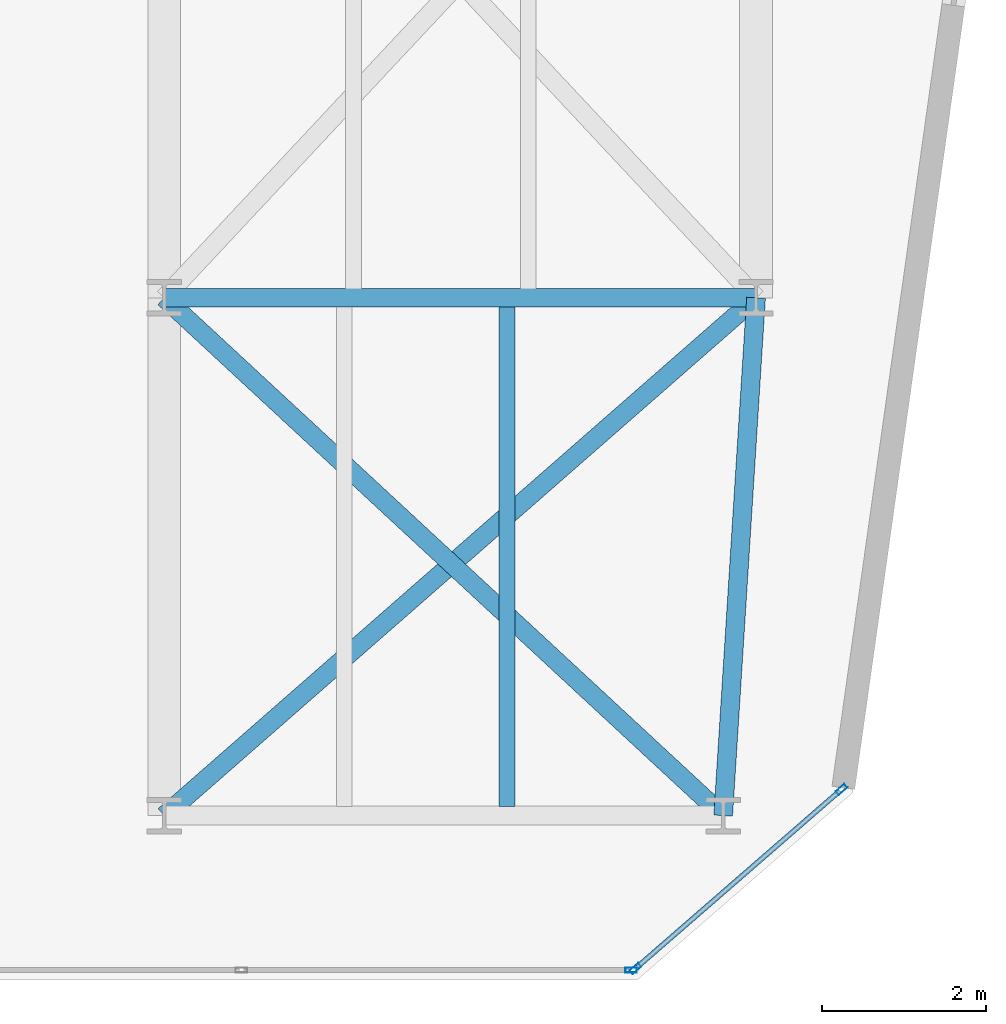
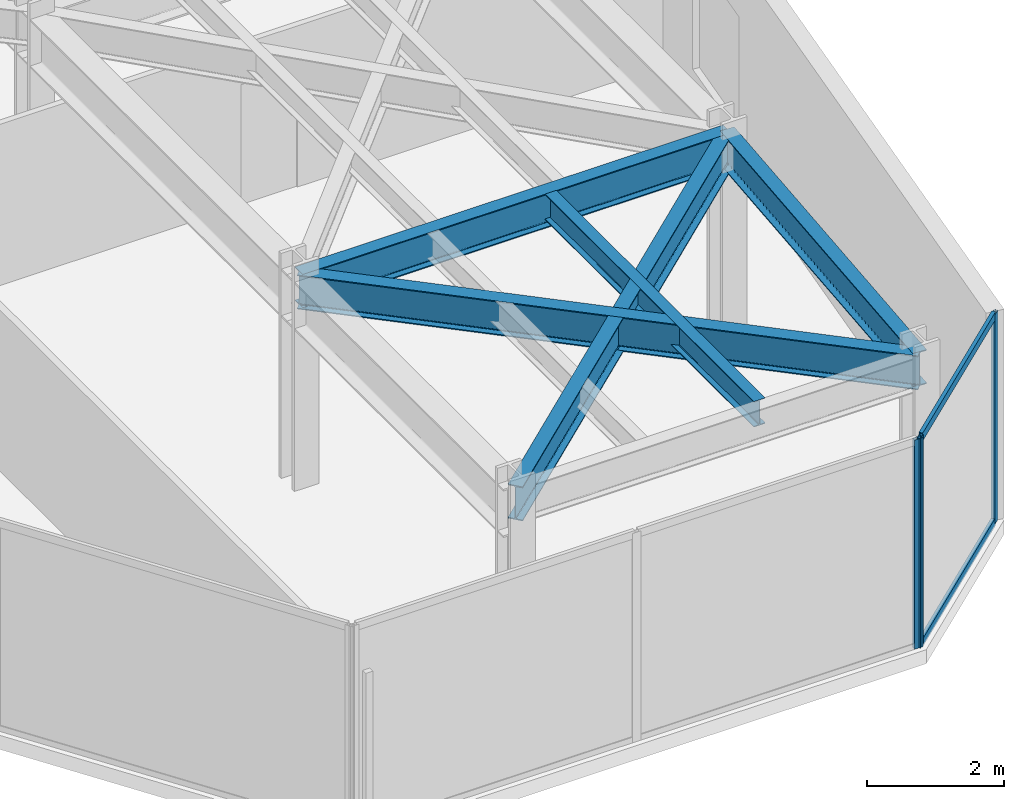
# One storey, part 19 of 26: 5 beams, 5 members, 2 elements without a shape of their own.
"""IFC4 building model written with IfcOpenShell, lengths in metres."""

from ifc_helpers import new_model, si_unit, direction, frame, origin, origin_2d, place, context, subcontext, project, spatial, hollow_rectangle, i_section, extrude, material, layer, layer_set, material_profile, profile_set, type_object, element, aggregate, save


model = new_model("IFC4")

# Units and contexts
model_context = context("Model", 3, precision=1e-05, world=origin(), true_north=direction((0.0, 1.0)))
body_context = subcontext(model_context, "Body", "Model", "MODEL_VIEW")
ifc_project = project(units=[si_unit("LENGTHUNIT", "METRE"), si_unit("AREAUNIT", "SQUARE_METRE"), si_unit("VOLUMEUNIT", "CUBIC_METRE"), si_unit("PLANEANGLEUNIT", "RADIAN"), si_unit("MASSUNIT", "GRAM", prefix="KILO")], contexts=[model_context])

# Site, building, storey
site_placement = place(None, origin())
site = spatial("IfcSite", under=ifc_project, at=site_placement, CompositionType="ELEMENT")
building_placement = place(site_placement, origin())
building = spatial("IfcBuilding", under=site, at=building_placement, Name="Kravanh Interchange Tower", CompositionType="ELEMENT")
storey_placement = place(building_placement, frame((0.0, 0.0, 152.0)))
storey = spatial("IfcBuildingStorey", under=building, at=storey_placement, Name="L36", CompositionType="ELEMENT", Elevation=152.0)

# Curtain wall, members
ifc_material_1 = material(Name="Anodised Bronze Aluminium", Category="aluminium")
ifc_layer = layer(ifc_material_1, 0.179931640625)
ifc_layer_set = layer_set([ifc_layer], Name="Unitised Curtain Wall System CW-Z2 Mid Office")
curtain_wall_type = type_object("IfcCurtainWallType", Name="Unitised Curtain Wall System CW-Z2 Mid Office", PredefinedType="NOTDEFINED", material=ifc_layer_set)
curtain_wall_1_placement = place(storey_placement, origin())
curtain_wall_1 = element("IfcCurtainWall", 1, at=curtain_wall_1_placement, inside=storey, type_object=curtain_wall_type, Name="L36 Unitised Curtain Wall CW-L36-02", PredefinedType="NOTDEFINED")
ifc_material_2 = material(Name="Anodised Bronze Aluminium", Category="aluminium")
ifc_material_profile_1 = material_profile(ifc_material_2, hollow_rectangle(XDim=0.06005859375, YDim=0.139892578125, WallThickness=0.00390625, at=origin_2d()), Name="ALU60X140X4")
ifc_profile_set_1 = profile_set([ifc_material_profile_1], Name="Anodised Bronze Aluminium")
member_type_1 = type_object("IfcMemberType", Name="Curtain Wall Mullion ALU60X140X4 Bronze", PredefinedType="MULLION", material=ifc_profile_set_1)
member_1_placement = place(storey_placement, frame((64.239990234375, 8.51904296875, 0.0), z_axis=(0.0, 0.0, 1.0), x_axis=(0.656047665617, -0.754719458103, 0.0)))
member_1 = element("IfcMember", 2, at=member_1_placement, type_object=member_type_1, Name="CW-Z2 mullion 1", PredefinedType="MULLION", context=body_context, shape_type="SweptSolid", body=[
    extrude(hollow_rectangle(XDim=0.06005859375, YDim=0.139892578125, WallThickness=0.00390625, at=origin_2d()), origin(), (0.0, 0.0, 1.0), 3.719970703125),
])
member_2_placement = place(storey_placement, frame((61.73291015625, 6.339599609375, 0.0), z_axis=(0.0, 0.0, 1.0), x_axis=(0.656047665617, -0.754719458103, 0.0)))
member_2 = element("IfcMember", 3, at=member_2_placement, type_object=member_type_1, Name="CW-Z2 mullion 2", PredefinedType="MULLION", context=body_context, shape_type="SweptSolid", body=[
    extrude(hollow_rectangle(XDim=0.06005859375, YDim=0.139892578125, WallThickness=0.00390625, at=origin_2d()), origin(), (0.0, 0.0, 1.0), 3.719970703125),
])

# Curtain wall, member
curtain_wall_2_placement = place(storey_placement, origin())
curtain_wall_2 = element("IfcCurtainWall", 4, at=curtain_wall_2_placement, inside=storey, type_object=curtain_wall_type, Name="L36 Unitised Curtain Wall CW-L36-03", PredefinedType="NOTDEFINED")
member_3_placement = place(storey_placement, frame((61.68017578125, 6.320068359375, 0.0), z_axis=(0.0, 0.0, 1.0), x_axis=(0.0, -1.0, 0.0)))
member_3 = element("IfcMember", 5, at=member_3_placement, type_object=member_type_1, Name="CW-Z2 mullion 1", PredefinedType="MULLION", context=body_context, shape_type="SweptSolid", body=[
    extrude(hollow_rectangle(XDim=0.06005859375, YDim=0.139892578125, WallThickness=0.00390625, at=origin_2d()), origin(), (0.0, 0.0, 1.0), 3.719970703125),
])
aggregate(curtain_wall_2, [member_3])

# Member
ifc_material_3 = material(Name="Anodised Bronze Aluminium", Category="aluminium")
ifc_material_profile_2 = material_profile(ifc_material_3, hollow_rectangle(XDim=0.06005859375, YDim=0.139892578125, WallThickness=0.00390625, at=origin_2d()), Name="ALU60X140X4")
ifc_profile_set_2 = profile_set([ifc_material_profile_2], Name="Anodised Bronze Aluminium")
member_type_2 = type_object("IfcMemberType", Name="Curtain Wall Transom ALU60X140X4 Bronze", PredefinedType="USERDEFINED", material=ifc_profile_set_2)
member_4_placement = place(storey_placement, frame((64.21728515625, 8.499267578125, 0.030029296875), z_axis=(-0.754742467432, -0.656021194669, 0.0), x_axis=(0.656021194669, -0.754742467432, 0.0)))
member_4 = element("IfcMember", 6, at=member_4_placement, type_object=member_type_2, Name="CW-Z2 transom 1.1", ObjectType="TRANSOM", PredefinedType="USERDEFINED", context=body_context, shape_type="SweptSolid", body=[
    extrude(hollow_rectangle(XDim=0.06005859375, YDim=0.139892578125, WallThickness=0.00390625, at=origin_2d()), origin(), (0.0, 0.0, 1.0), 3.261962890625),
])

member_5_placement = place(storey_placement, frame((64.21728515625, 8.499267578125, 3.68994140625), z_axis=(-0.754742467432, -0.656021194669, 0.0), x_axis=(0.656021194669, -0.754742467432, 0.0)))
member_5 = element("IfcMember", 7, at=member_5_placement, type_object=member_type_2, Name="CW-Z2 transom 1.2", ObjectType="TRANSOM", PredefinedType="USERDEFINED", context=body_context, shape_type="SweptSolid", body=[
    extrude(hollow_rectangle(XDim=0.06005859375, YDim=0.139892578125, WallThickness=0.00390625, at=origin_2d()), origin(), (0.0, 0.0, 1.0), 3.261962890625),
])

aggregate(curtain_wall_1, [member_1, member_2, member_4, member_5])

# Beams
ifc_material_4 = material(Name="Structural Steel S355", Category="steel")
ifc_material_profile_3 = material_profile(ifc_material_4, i_section(OverallWidth=0.18994140625, OverallDepth=0.45703125, WebThickness=0.009033203125, FlangeThickness=0.014404296875, FilletRadius=0.01806640625, at=origin_2d()), Name="W18X50")
ifc_profile_set_3 = profile_set([ifc_material_profile_3], Name="Structural Steel S355")
beam_type_1 = type_object("IfcBeamType", Name="Floor Joist W18X50 Structural Steel S355", PredefinedType="JOIST", material=ifc_profile_set_3)
beam_1_placement = place(storey_placement, frame((60.169921875, 8.30908203125, 3.491455078125), z_axis=(0.0, 1.0, 0.0), x_axis=(-1.0, 0.0, 0.0)))
element("IfcBeam", 8, at=beam_1_placement, inside=storey, type_object=beam_type_1, Name="L36 Secondary Floor Joist 4", PredefinedType="JOIST", context=body_context, shape_type="SweptSolid", body=[
    extrude(i_section(OverallWidth=0.18994140625, OverallDepth=0.45703125, WebThickness=0.009033203125, FlangeThickness=0.014404296875, FilletRadius=0.01806640625, at=origin_2d()), origin(), (0.0, 0.0, 1.0), 6.08203125),
])
ifc_material_5 = material(Name="Structural Steel S355", Category="steel")
ifc_material_profile_4 = material_profile(ifc_material_5, i_section(OverallWidth=0.22802734375, OverallDepth=0.60791015625, WebThickness=0.01123046875, FlangeThickness=0.017333984375, FilletRadius=0.02197265625, at=origin_2d()), Name="W24X76")
ifc_profile_set_4 = profile_set([ifc_material_profile_4], Name="Structural Steel S355")
beam_type_2 = type_object("IfcBeamType", Name="Floor Spandrel W24X76 Structural Steel S355", PredefinedType="SPANDREL", material=ifc_profile_set_4)
beam_2_placement = place(storey_placement, frame((56.0, 8.199951171875, 3.416015625), z_axis=(0.752571952274, 0.658510027752, 0.0), x_axis=(-0.658510027752, 0.752571952274, 0.0)))
element("IfcBeam", 9, at=beam_2_placement, inside=storey, type_object=beam_type_2, Name="L36 Perimeter Spandrel 97", PredefinedType="SPANDREL", context=body_context, shape_type="SweptSolid", body=[
    extrude(i_section(OverallWidth=0.22802734375, OverallDepth=0.60791015625, WebThickness=0.01123046875, FlangeThickness=0.017333984375, FilletRadius=0.02197265625, at=origin_2d()), origin(), (0.0, 0.0, 1.0), 9.567138671875),
])
beam_3_placement = place(storey_placement, frame((62.800048828125, 8.199951171875, 3.416015625), z_axis=(0.063348576418, 0.99799146182, 0.0), x_axis=(-0.99799146182, 0.063348576418, 0.0)))
element("IfcBeam", 10, at=beam_3_placement, inside=storey, type_object=beam_type_2, Name="L36 Perimeter Spandrel 98", PredefinedType="SPANDREL", context=body_context, shape_type="SweptSolid", body=[
    extrude(i_section(OverallWidth=0.22802734375, OverallDepth=0.60791015625, WebThickness=0.01123046875, FlangeThickness=0.017333984375, FilletRadius=0.02197265625, at=origin_2d()), origin(), (0.0, 0.0, 1.0), 6.312744140625),
])
beam_4_placement = place(storey_placement, frame((62.800048828125, 8.199951171875, 3.416015625), z_axis=(-0.733561267923, 0.679623326706, 0.0), x_axis=(-0.679623326706, -0.733561267923, 0.0)))
element("IfcBeam", 11, at=beam_4_placement, inside=storey, type_object=beam_type_2, Name="L36 Perimeter Spandrel 99", PredefinedType="SPANDREL", context=body_context, shape_type="SweptSolid", body=[
    extrude(i_section(OverallWidth=0.22802734375, OverallDepth=0.60791015625, WebThickness=0.01123046875, FlangeThickness=0.017333984375, FilletRadius=0.02197265625, at=origin_2d()), origin(), (0.0, 0.0, 1.0), 9.27001953125),
])
beam_5_placement = place(storey_placement, frame((56.0, 14.5, 3.416015625), z_axis=(1.0, 0.0, 0.0), x_axis=(0.0, 1.0, 0.0)))
element("IfcBeam", 12, at=beam_5_placement, inside=storey, type_object=beam_type_2, Name="L36 Perimeter Spandrel 103", PredefinedType="SPANDREL", context=body_context, shape_type="SweptSolid", body=[
    extrude(i_section(OverallWidth=0.22802734375, OverallDepth=0.60791015625, WebThickness=0.01123046875, FlangeThickness=0.017333984375, FilletRadius=0.02197265625, at=origin_2d()), origin(), (0.0, 0.0, 1.0), 7.199951171875),
])

save(model, "model.ifc")
